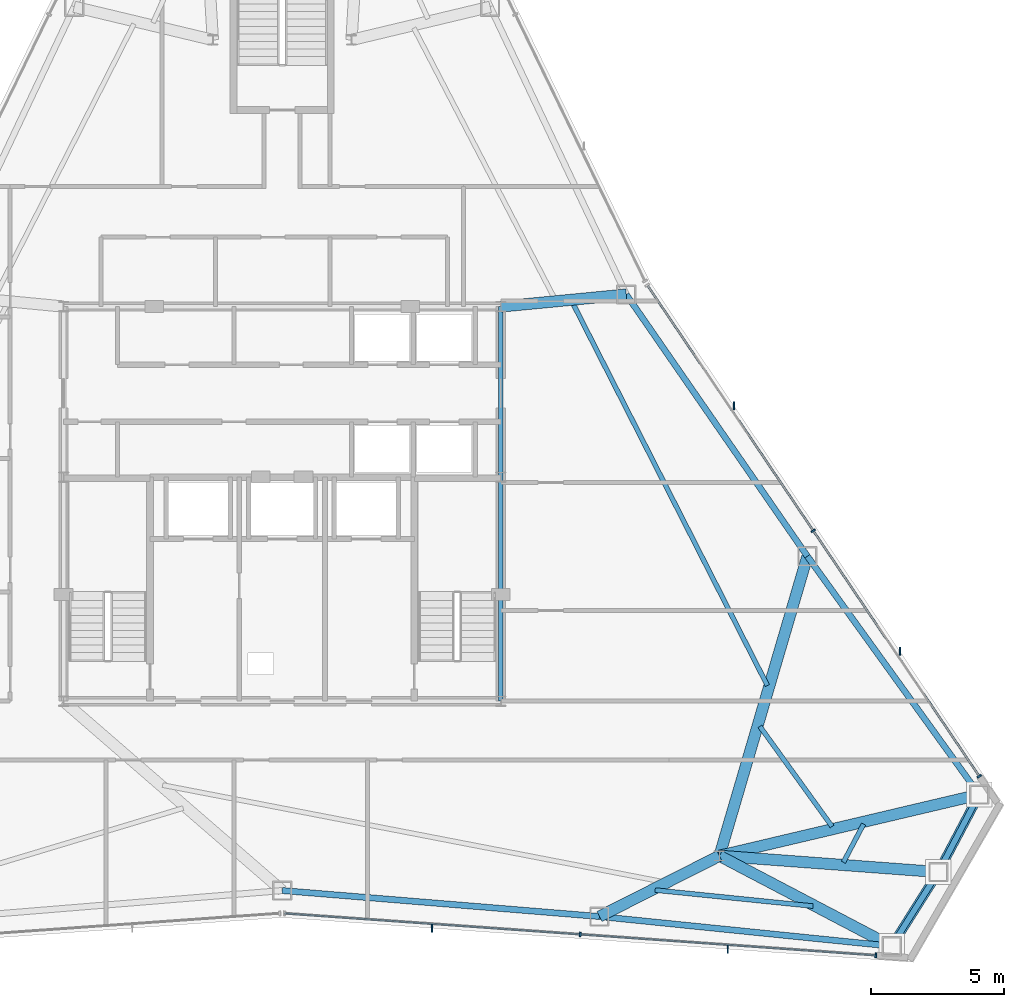
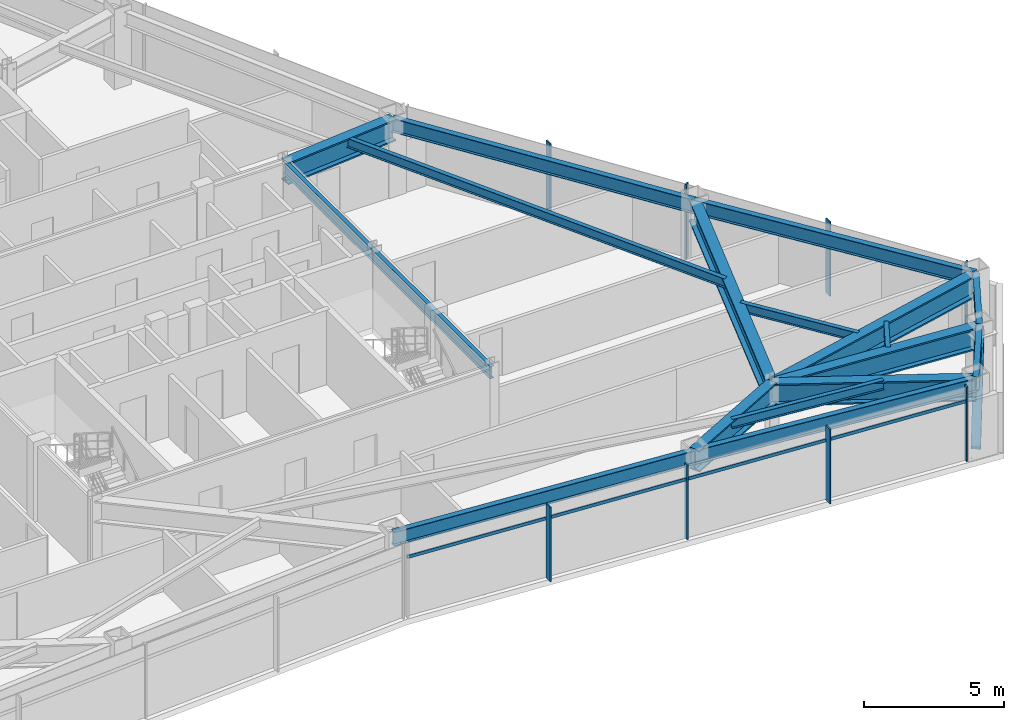
# One storey, part 6 of 12: 17 beams, 12 members, 2 elements without a shape of their own.
"""IFC4 building model written with IfcOpenShell, lengths in metres."""

from ifc_helpers import new_model, si_unit, direction, frame, origin, origin_2d, place, context, subcontext, project, spatial, rectangle, hollow_rectangle, i_section, extrude, source, transform, mapped, material, layer, layer_set, material_profile, profile_set, type_object, type_shapes, element, aggregate, save


model = new_model("IFC4")

# Units and contexts
model_context = context("Model", 3, precision=1e-05, world=origin(), true_north=direction((0.0, 1.0)))
body_context = subcontext(model_context, "Body", "Model", "MODEL_VIEW")
ifc_project = project(units=[si_unit("LENGTHUNIT", "METRE"), si_unit("AREAUNIT", "SQUARE_METRE"), si_unit("VOLUMEUNIT", "CUBIC_METRE"), si_unit("PLANEANGLEUNIT", "RADIAN"), si_unit("MASSUNIT", "GRAM", prefix="KILO")], contexts=[model_context])

# Site, building, storey
site_placement = place(None, origin())
site = spatial("IfcSite", under=ifc_project, at=site_placement, CompositionType="ELEMENT")
building_placement = place(site_placement, origin())
building = spatial("IfcBuilding", under=site, at=building_placement, Name="Varakhsha Concourse Tower", CompositionType="ELEMENT")
storey_placement = place(building_placement, frame((0.0, 0.0, 204.89990234375)))
storey = spatial("IfcBuildingStorey", under=building, at=storey_placement, Name="L58", CompositionType="ELEMENT", Elevation=204.89990234375)

# Beams
ifc_material_1 = material(Name="Structural Steel ASTM A992 Grade 50", Category="steel")
ifc_material_profile_1 = material_profile(ifc_material_1, i_section(OverallWidth=0.177978515625, OverallDepth=0.406982421875, WebThickness=0.008056640625, FlangeThickness=0.012939453125, at=origin_2d()), Name="W16X40")
ifc_profile_set_1 = profile_set([ifc_material_profile_1], Name="Structural Steel ASTM A992 Grade 50")
beam_type_1 = type_object("IfcBeamType", Name="BM-JST-W16X40", PredefinedType="JOIST", material=ifc_profile_set_1)
beam_1_placement = place(storey_placement, frame((53.988525390625, 9.314208984375, 3.046630859375), z_axis=(0.994880799666, -0.101055402902, 0.0), x_axis=(0.101055402902, 0.994880799666, 0.0)))
element("IfcBeam", 1, at=beam_1_placement, inside=storey, type_object=beam_type_1, Name="BM-TJST-L58-12", PredefinedType="JOIST", context=body_context, shape_type="SweptSolid", body=[
    extrude(i_section(OverallWidth=0.177978515625, OverallDepth=0.406982421875, WebThickness=0.008056640625, FlangeThickness=0.012939453125, at=origin_2d()), origin(), (0.0, 0.0, 1.0), 5.950439453125),
])
beam_2_placement = place(storey_placement, frame((61.04931640625, 10.356201171875, 3.046630859375), z_axis=(0.466578529468, 0.884479776953, 0.0), x_axis=(-0.884479776953, 0.466578529468, 0.0)))
element("IfcBeam", 2, at=beam_2_placement, inside=storey, type_object=beam_type_1, Name="BM-TJST-L58-14", PredefinedType="JOIST", context=body_context, shape_type="SweptSolid", body=[
    extrude(i_section(OverallWidth=0.177978515625, OverallDepth=0.406982421875, WebThickness=0.008056640625, FlangeThickness=0.012939453125, at=origin_2d()), origin(), (0.0, 0.0, 1.0), 1.6201171875),
])
beam_3_placement = place(storey_placement, frame((60.622802734375, 11.699951171875, 3.046630859375), z_axis=(-0.584929922195, 0.811083834213, 0.0), x_axis=(-0.811083834213, -0.584929922195, 0.0)))
element("IfcBeam", 3, at=beam_3_placement, inside=storey, type_object=beam_type_1, Name="BM-TJST-L58-15", PredefinedType="JOIST", context=body_context, shape_type="SweptSolid", body=[
    extrude(i_section(OverallWidth=0.177978515625, OverallDepth=0.406982421875, WebThickness=0.008056640625, FlangeThickness=0.012939453125, at=origin_2d()), origin(), (0.0, 0.0, 1.0), 4.6279296875),
])
beam_4_placement = place(storey_placement, frame((58.197265625, 16.989013671875, 3.046630859375), z_axis=(-0.453599715257, 0.891205530907, 0.0), x_axis=(-0.891205530907, -0.453599715257, 0.0)))
element("IfcBeam", 4, at=beam_4_placement, inside=storey, type_object=beam_type_1, Name="BM-TJST-L58-16", PredefinedType="JOIST", context=body_context, shape_type="SweptSolid", body=[
    extrude(i_section(OverallWidth=0.177978515625, OverallDepth=0.406982421875, WebThickness=0.008056640625, FlangeThickness=0.012939453125, at=origin_2d()), origin(), (0.0, 0.0, 1.0), 16.119384765625),
])
ifc_material_profile_2 = material_profile(ifc_material_1, i_section(OverallWidth=0.423095703125, OverallDepth=0.947998046875, WebThickness=0.0380859375, FlangeThickness=0.06396484375, at=origin_2d()), Name="W36X302")
ifc_profile_set_2 = profile_set([ifc_material_profile_2], Name="Structural Steel ASTM A992 Grade 50")
beam_type_2 = type_object("IfcBeamType", Name="BM-OUTR-W36X302", PredefinedType="USERDEFINED", material=ifc_profile_set_2)
beam_5_placement = place(storey_placement, frame((56.39990234375, 10.60009765625, 2.776123046875), z_axis=(-0.892365691824, -0.451313053274, 0.0), x_axis=(0.451313053274, -0.892365691824, 0.0)))
element("IfcBeam", 5, at=beam_5_placement, inside=storey, type_object=beam_type_2, Name="L58 Radial Floor Girder 12", ObjectType="GIRDER", PredefinedType="USERDEFINED", context=body_context, shape_type="SweptSolid", body=[
    extrude(i_section(OverallWidth=0.423095703125, OverallDepth=0.947998046875, WebThickness=0.0380859375, FlangeThickness=0.06396484375, at=origin_2d()), origin(), (0.0, 0.0, 1.0), 5.04443359375),
])
beam_6_placement = place(storey_placement, frame((56.39990234375, 10.60009765625, 2.776123046875), z_axis=(0.885501860742, -0.464635830111, 0.0), x_axis=(0.464635830111, 0.885501860742, 0.0)))
element("IfcBeam", 6, at=beam_6_placement, inside=storey, type_object=beam_type_2, Name="L58 Radial Floor Girder 13", ObjectType="GIRDER", PredefinedType="USERDEFINED", context=body_context, shape_type="SweptSolid", body=[
    extrude(i_section(OverallWidth=0.423095703125, OverallDepth=0.947998046875, WebThickness=0.0380859375, FlangeThickness=0.06396484375, at=origin_2d()), origin(), (0.0, 0.0, 1.0), 7.2958984375),
])
beam_7_placement = place(storey_placement, frame((56.39990234375, 10.60009765625, 2.776123046875), z_axis=(0.997261601939, -0.073954697607, 0.0), x_axis=(0.073954697607, 0.997261601939, 0.0)))
element("IfcBeam", 7, at=beam_7_placement, inside=storey, type_object=beam_type_2, Name="L58 Radial Floor Girder 14", ObjectType="GIRDER", PredefinedType="USERDEFINED", context=body_context, shape_type="SweptSolid", body=[
    extrude(i_section(OverallWidth=0.423095703125, OverallDepth=0.947998046875, WebThickness=0.0380859375, FlangeThickness=0.06396484375, at=origin_2d()), origin(), (0.0, 0.0, 1.0), 8.233154296875),
])
beam_8_placement = place(storey_placement, frame((56.39990234375, 10.60009765625, 2.776123046875), z_axis=(0.973318249516, 0.229459332257, 0.0), x_axis=(-0.229459332257, 0.973318249516, 0.0)))
element("IfcBeam", 8, at=beam_8_placement, inside=storey, type_object=beam_type_2, Name="L58 Radial Floor Girder 15", ObjectType="GIRDER", PredefinedType="USERDEFINED", context=body_context, shape_type="SweptSolid", body=[
    extrude(i_section(OverallWidth=0.423095703125, OverallDepth=0.947998046875, WebThickness=0.0380859375, FlangeThickness=0.06396484375, at=origin_2d()), origin(), (0.0, 0.0, 1.0), 10.010986328125),
])
beam_9_placement = place(storey_placement, frame((56.39990234375, 10.60009765625, 2.776123046875), z_axis=(0.281739548175, 0.959490920746, 0.0), x_axis=(-0.959490920746, 0.281739548175, 0.0)))
element("IfcBeam", 9, at=beam_9_placement, inside=storey, type_object=beam_type_2, Name="L58 Radial Floor Girder 16", ObjectType="GIRDER", PredefinedType="USERDEFINED", context=body_context, shape_type="SweptSolid", body=[
    extrude(i_section(OverallWidth=0.423095703125, OverallDepth=0.947998046875, WebThickness=0.0380859375, FlangeThickness=0.06396484375, at=origin_2d()), origin(), (0.0, 0.0, 1.0), 11.7080078125),
])
beam_10_placement = place(storey_placement, frame((48.199951171875, 31.199951171875, 2.776123046875), z_axis=(0.995426515274, 0.095530375746, 0.0), x_axis=(-0.095530375746, 0.995426515274, 0.0)))
element("IfcBeam", 10, at=beam_10_placement, inside=storey, type_object=beam_type_2, Name="L58 Radial Floor Girder 17", ObjectType="GIRDER", PredefinedType="USERDEFINED", context=body_context, shape_type="SweptSolid", body=[
    extrude(i_section(OverallWidth=0.423095703125, OverallDepth=0.947998046875, WebThickness=0.0380859375, FlangeThickness=0.06396484375, at=origin_2d()), origin(), (0.0, 0.0, 1.0), 4.72802734375),
])
ifc_material_profile_3 = material_profile(ifc_material_1, i_section(OverallWidth=0.1669921875, OverallDepth=0.534912109375, WebThickness=0.010009765625, FlangeThickness=0.01708984375, at=origin_2d()), Name="W21X57")
ifc_profile_set_3 = profile_set([ifc_material_profile_3], Name="Structural Steel ASTM A992 Grade 50")
beam_type_3 = type_object("IfcBeamType", Name="BM-RAD-W21X57", PredefinedType="BEAM", material=ifc_profile_set_3)
beam_11_placement = place(storey_placement, frame((48.199951171875, 16.39990234375, 2.982666015625), z_axis=(0.0, 1.0, 0.0), x_axis=(-1.0, 0.0, 0.0)))
element("IfcBeam", 11, at=beam_11_placement, inside=storey, type_object=beam_type_3, Name="BM-TCORE-L58-CE", PredefinedType="BEAM", context=body_context, shape_type="SweptSolid", body=[
    extrude(i_section(OverallWidth=0.1669921875, OverallDepth=0.534912109375, WebThickness=0.010009765625, FlangeThickness=0.01708984375, at=origin_2d()), origin(), (0.0, 0.0, 1.0), 14.800048828125),
])
ifc_material_profile_4 = material_profile(ifc_material_1, i_section(OverallWidth=0.22900390625, OverallDepth=0.612060546875, WebThickness=0.011962890625, FlangeThickness=0.02001953125, at=origin_2d()), Name="W24X84")
ifc_profile_set_4 = profile_set([ifc_material_profile_4], Name="Structural Steel ASTM A992 Grade 50")
beam_type_4 = type_object("IfcBeamType", Name="BM-SPAN-W24X84", PredefinedType="SPANDREL", material=ifc_profile_set_4)
beam_12_placement = place(storey_placement, frame((40.0, 9.297119140625, 2.944091796875), z_axis=(0.996668757849, -0.081556036735, 0.0), x_axis=(0.081556036735, 0.996668757849, 0.0)))
element("IfcBeam", 12, at=beam_12_placement, inside=storey, type_object=beam_type_4, Name="BM-SPAN-L58-11", PredefinedType="SPANDREL", context=body_context, shape_type="SweptSolid", body=[
    extrude(i_section(OverallWidth=0.22900390625, OverallDepth=0.612060546875, WebThickness=0.011962890625, FlangeThickness=0.02001953125, at=origin_2d()), origin(), (0.0, 0.0, 1.0), 11.938232421875),
])
beam_13_placement = place(storey_placement, frame((51.8984375, 8.323486328125, 2.944091796875), z_axis=(0.994882436683, -0.101039285329, 0.0), x_axis=(0.101039285329, 0.994882436683, 0.0)))
element("IfcBeam", 13, at=beam_13_placement, inside=storey, type_object=beam_type_4, Name="BM-SPAN-L58-12", PredefinedType="SPANDREL", context=body_context, shape_type="SweptSolid", body=[
    extrude(i_section(OverallWidth=0.22900390625, OverallDepth=0.612060546875, WebThickness=0.011962890625, FlangeThickness=0.02001953125, at=origin_2d()), origin(), (0.0, 0.0, 1.0), 11.018310546875),
])
beam_14_placement = place(storey_placement, frame((62.8603515625, 7.210205078125, 2.944091796875), z_axis=(0.532647729471, 0.846337046506, 0.0), x_axis=(-0.846337046506, 0.532647729471, 0.0)))
element("IfcBeam", 14, at=beam_14_placement, inside=storey, type_object=beam_type_4, Name="BM-SPAN-L58-13", PredefinedType="SPANDREL", context=body_context, shape_type="SweptSolid", body=[
    extrude(i_section(OverallWidth=0.22900390625, OverallDepth=0.612060546875, WebThickness=0.011962890625, FlangeThickness=0.02001953125, at=origin_2d()), origin(), (0.0, 0.0, 1.0), 3.285888671875),
])
beam_15_placement = place(storey_placement, frame((64.610595703125, 9.9912109375, 2.944091796875), z_axis=(0.466634310193, 0.884450349398, 0.0), x_axis=(-0.884450349398, 0.466634310193, 0.0)))
element("IfcBeam", 15, at=beam_15_placement, inside=storey, type_object=beam_type_4, Name="BM-SPAN-L58-14", PredefinedType="SPANDREL", context=body_context, shape_type="SweptSolid", body=[
    extrude(i_section(OverallWidth=0.22900390625, OverallDepth=0.612060546875, WebThickness=0.011962890625, FlangeThickness=0.02001953125, at=origin_2d()), origin(), (0.0, 0.0, 1.0), 3.28564453125),
])
beam_16_placement = place(storey_placement, frame((66.143798828125, 12.897216796875, 2.944091796875), z_axis=(-0.584962960084, 0.811060007231, 0.0), x_axis=(-0.811060007231, -0.584962960084, 0.0)))
element("IfcBeam", 16, at=beam_16_placement, inside=storey, type_object=beam_type_4, Name="BM-SPAN-L58-15", PredefinedType="SPANDREL", context=body_context, shape_type="SweptSolid", body=[
    extrude(i_section(OverallWidth=0.22900390625, OverallDepth=0.612060546875, WebThickness=0.011962890625, FlangeThickness=0.02001953125, at=origin_2d()), origin(), (0.0, 0.0, 1.0), 11.018310546875),
])
beam_17_placement = place(storey_placement, frame((59.698486328125, 21.833740234375, 2.944091796875), z_axis=(-0.568940907467, 0.822378406703, 0.0), x_axis=(-0.822378406703, -0.568940907467, 0.0)))
element("IfcBeam", 17, at=beam_17_placement, inside=storey, type_object=beam_type_4, Name="BM-SPAN-L58-16", PredefinedType="SPANDREL", context=body_context, shape_type="SweptSolid", body=[
    extrude(i_section(OverallWidth=0.22900390625, OverallDepth=0.612060546875, WebThickness=0.011962890625, FlangeThickness=0.02001953125, at=origin_2d()), origin(), (0.0, 0.0, 1.0), 11.9384765625),
])

# Members
ifc_material_2 = material(Name="Structural Steel ASTM A500 Grade C", Category="steel")
ifc_material_profile_5 = material_profile(ifc_material_2, hollow_rectangle(XDim=0.35009765625, YDim=0.35009765625, WallThickness=0.01611328125, at=origin_2d()), Name="HSS 350x350x16")
ifc_profile_set_5 = profile_set([ifc_material_profile_5], Name="Structural Steel ASTM A500 Grade C")
member_type_1 = type_object("IfcMemberType", Name="MB-TUBE-HSS350", PredefinedType="BRACE", material=ifc_profile_set_5)
shared_shape_1 = source(origin(), body_context, "Body", "SweptSolid", [
    extrude(hollow_rectangle(XDim=0.35009765625, YDim=0.35009765625, WallThickness=0.01611328125, at=origin_2d()), origin(), (0.0, 0.0, 1.0), 4.33642578125),
])
member_1_placement = place(storey_placement, frame((66.143798828125, 12.897216796875, 0.1201171875), z_axis=(-0.353560633732, -0.670132519637, 0.652623386342), x_axis=(0.884450349398, -0.466634310193, 0.0)))
element("IfcMember", 18, at=member_1_placement, inside=storey, type_object=member_type_1, Name="L58 Wind-Corner Tube Brace B06", PredefinedType="BRACE", context=body_context, shape_type="MappedRepresentation", body=[
    mapped(shared_shape_1, transform((0.0, 0.0, 0.0), scale=1.0)),
])
shared_shape_2 = source(origin(), body_context, "Body", "SweptSolid", [
    extrude(hollow_rectangle(XDim=0.35009765625, YDim=0.35009765625, WallThickness=0.01611328125, at=origin_2d()), origin(), (0.0, 0.0, 1.0), 4.336669921875),
])
type_shapes(member_type_1, [shared_shape_1, shared_shape_2])
member_2_placement = place(storey_placement, frame((62.8603515625, 7.210205078125, 0.1201171875), z_axis=(0.403591903834, 0.641277078612, 0.652592739468), x_axis=(-0.846337046506, 0.532647729471, 0.0)))
element("IfcMember", 19, at=member_2_placement, inside=storey, type_object=member_type_1, Name="L58 Wind-Corner Tube Brace B05", PredefinedType="BRACE", context=body_context, shape_type="MappedRepresentation", body=[
    mapped(shared_shape_2, transform((0.0, 0.0, 0.0), scale=1.0)),
])

# Curtain wall, members
ifc_material_3 = material(Name="Anodised Bronze Architectural Aluminium AA 6063-T6", Category="aluminium")
ifc_layer = layer(ifc_material_3, 0.199951171875, Name="CW-SYS-05")
ifc_layer_set = layer_set([ifc_layer], Name="Anodised Bronze Architectural Aluminium AA 6063-T6")
curtain_wall_type = type_object("IfcCurtainWallType", Name="CW-SYS-05", PredefinedType="NOTDEFINED", material=ifc_layer_set)
curtain_wall_1_placement = place(storey_placement, origin())
curtain_wall_1 = element("IfcCurtainWall", 20, at=curtain_wall_1_placement, inside=storey, type_object=curtain_wall_type, Name="L58 Crystal Curtain Wall F6", PredefinedType="NOTDEFINED")
ifc_material_profile_6 = material_profile(ifc_material_3, rectangle(XDim=0.06494140625, YDim=0.179931640625, at=origin_2d()), Name="CWM-180X65")
ifc_profile_set_6 = profile_set([ifc_material_profile_6], Name="Anodised Bronze Architectural Aluminium AA 6063-T6")
member_type_2 = type_object("IfcMemberType", Name="CWM-180X65", PredefinedType="MULLION", material=ifc_profile_set_6)
shared_shape_3 = source(origin(), body_context, "Body", "SweptSolid", [
    extrude(rectangle(XDim=0.06494140625, YDim=0.179931640625, at=origin_2d()), origin(), (0.0, 0.0, 1.0), 3.25),
])
type_shapes(member_type_2, [shared_shape_3])
member_3_placement = place(storey_placement, frame((62.267578125, 6.86669921875, 0.0), z_axis=(0.0, 0.0, 1.0), x_axis=(-0.997496012116, 0.070722739, 0.0)))
member_3 = element("IfcMember", 21, at=member_3_placement, type_object=member_type_2, Name="CW-L58-F6 Mullion 00", PredefinedType="MULLION", context=body_context, shape_type="MappedRepresentation", body=[
    mapped(shared_shape_3, transform((0.0, 0.0, 0.0), scale=1.0)),
])
member_4_placement = place(storey_placement, frame((51.17919921875, 7.65283203125, 0.0), z_axis=(0.0, 0.0, 1.0), x_axis=(-0.997496012116, 0.070722739, 0.0)))
member_4 = element("IfcMember", 22, at=member_4_placement, type_object=member_type_2, Name="CW-L58-F6 Mullion 01", PredefinedType="MULLION", context=body_context, shape_type="MappedRepresentation", body=[
    mapped(shared_shape_3, transform((0.0, 0.0, 0.0), scale=1.0)),
])

curtain_wall_2_placement = place(storey_placement, origin())
curtain_wall_2 = element("IfcCurtainWall", 23, at=curtain_wall_2_placement, inside=storey, type_object=curtain_wall_type, Name="L58 Crystal Curtain Wall F8", PredefinedType="NOTDEFINED")
member_5_placement = place(storey_placement, frame((59.919921875, 22.7919921875, 0.0), z_axis=(0.0, 0.0, 1.0), x_axis=(0.559998586649, -0.828493562408, 0.0)))
member_5 = element("IfcMember", 24, at=member_5_placement, type_object=member_type_2, Name="CW-L58-F8 Mullion 01", PredefinedType="MULLION", context=body_context, shape_type="MappedRepresentation", body=[
    mapped(shared_shape_3, transform((0.0, 0.0, 0.0), scale=1.0)),
])
member_6_placement = place(storey_placement, frame((66.144775390625, 13.58251953125, 0.0), z_axis=(0.0, 0.0, 1.0), x_axis=(0.559998586649, -0.828493562408, 0.0)))
member_6 = element("IfcMember", 25, at=member_6_placement, type_object=member_type_2, Name="CW-L58-F8 Mullion 02", PredefinedType="MULLION", context=body_context, shape_type="MappedRepresentation", body=[
    mapped(shared_shape_3, transform((0.0, 0.0, 0.0), scale=1.0)),
])

# Member
ifc_material_profile_7 = material_profile(ifc_material_3, rectangle(XDim=0.054931640625, YDim=0.300048828125, at=origin_2d()), Name="FIN-BRZ-300")
ifc_profile_set_7 = profile_set([ifc_material_profile_7], Name="Anodised Bronze Architectural Aluminium AA 6063-T6")
member_type_3 = type_object("IfcMemberType", Name="FIN-BRZ-300", PredefinedType="USERDEFINED", material=ifc_profile_set_7)
shared_shape_4 = source(origin(), body_context, "Body", "SweptSolid", [
    extrude(rectangle(XDim=0.054931640625, YDim=0.300048828125, at=origin_2d()), origin(), (0.0, 0.0, 1.0), 3.25),
])
type_shapes(member_type_3, [shared_shape_4])
member_7_placement = place(storey_placement, frame((56.711669921875, 7.09521484375, 0.0), z_axis=(0.0, 0.0, 1.0), x_axis=(1.0, 0.0, 0.0)))
member_7 = element("IfcMember", 26, at=member_7_placement, type_object=member_type_3, Name="L58 Anodised Bronze Solar Fin F6-1", ObjectType="SOLAR FIN", PredefinedType="USERDEFINED", context=body_context, shape_type="MappedRepresentation", body=[
    mapped(shared_shape_4, transform((0.0, 0.0, 0.0), scale=1.0)),
])

member_8_placement = place(storey_placement, frame((45.62353515625, 7.88134765625, 0.0), z_axis=(0.0, 0.0, 1.0), x_axis=(1.0, 0.0, 0.0)))
member_8 = element("IfcMember", 27, at=member_8_placement, type_object=member_type_3, Name="L58 Anodised Bronze Solar Fin F6-2", ObjectType="SOLAR FIN", PredefinedType="USERDEFINED", context=body_context, shape_type="MappedRepresentation", body=[
    mapped(shared_shape_4, transform((0.0, 0.0, 0.0), scale=1.0)),
])

member_9_placement = place(storey_placement, frame((56.944091796875, 27.4892578125, 0.0), z_axis=(0.0, 0.0, 1.0), x_axis=(1.0, 0.0, 0.0)))
member_9 = element("IfcMember", 28, at=member_9_placement, type_object=member_type_3, Name="L58 Anodised Bronze Solar Fin F8-1", ObjectType="SOLAR FIN", PredefinedType="USERDEFINED", context=body_context, shape_type="MappedRepresentation", body=[
    mapped(shared_shape_4, transform((0.0, 0.0, 0.0), scale=1.0)),
])

member_10_placement = place(storey_placement, frame((63.1689453125, 18.27978515625, 0.0), z_axis=(0.0, 0.0, 1.0), x_axis=(1.0, 0.0, 0.0)))
member_10 = element("IfcMember", 29, at=member_10_placement, type_object=member_type_3, Name="L58 Anodised Bronze Solar Fin F8-2", ObjectType="SOLAR FIN", PredefinedType="USERDEFINED", context=body_context, shape_type="MappedRepresentation", body=[
    mapped(shared_shape_4, transform((0.0, 0.0, 0.0), scale=1.0)),
])

ifc_material_profile_8 = material_profile(ifc_material_3, rectangle(XDim=0.06005859375, YDim=0.139892578125, at=origin_2d()), Name="CWT-140X60")
ifc_profile_set_8 = profile_set([ifc_material_profile_8], Name="Anodised Bronze Architectural Aluminium AA 6063-T6")
member_type_4 = type_object("IfcMemberType", Name="CWT-140X60", PredefinedType="USERDEFINED", material=ifc_profile_set_8)
shared_shape_5 = source(origin(), body_context, "Body", "SweptSolid", [
    extrude(rectangle(XDim=0.06005859375, YDim=0.139892578125, at=origin_2d()), origin(), (0.0, 0.0, 1.0), 22.232177734375),
])
type_shapes(member_type_4, [shared_shape_5])
member_11_placement = place(storey_placement, frame((62.267578125, 6.86669921875, 2.60009765625), z_axis=(-0.997496187384, 0.070720266932, 0.0), x_axis=(-0.070720266932, -0.997496187384, 0.0)))
member_11 = element("IfcMember", 30, at=member_11_placement, type_object=member_type_4, Name="CW-L58-F6 Transom 01", ObjectType="TRANSOM", PredefinedType="USERDEFINED", context=body_context, shape_type="MappedRepresentation", body=[
    mapped(shared_shape_5, transform((0.0, 0.0, 0.0), scale=1.0)),
])

aggregate(curtain_wall_1, [member_3, member_4, member_11, member_7, member_8])

member_12_placement = place(storey_placement, frame((53.69482421875, 32.001708984375, 2.60009765625), z_axis=(0.559998002966, -0.828493956933, 0.0), x_axis=(0.828493956933, 0.559998002966, 0.0)))
member_12 = element("IfcMember", 31, at=member_12_placement, type_object=member_type_4, Name="CW-L58-F8 Transom 01", ObjectType="TRANSOM", PredefinedType="USERDEFINED", context=body_context, shape_type="MappedRepresentation", body=[
    mapped(shared_shape_5, transform((0.0, 0.0, 0.0), scale=1.0)),
])

aggregate(curtain_wall_2, [member_5, member_6, member_12, member_9, member_10])

save(model, "model.ifc")
